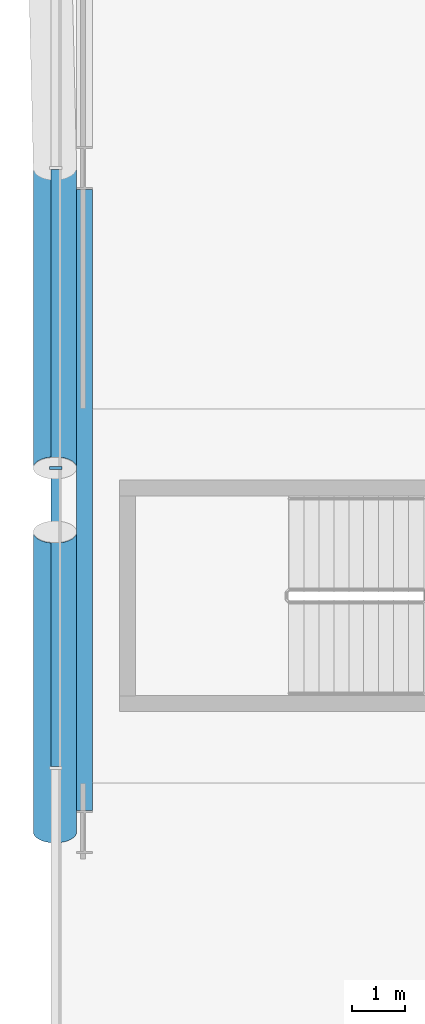
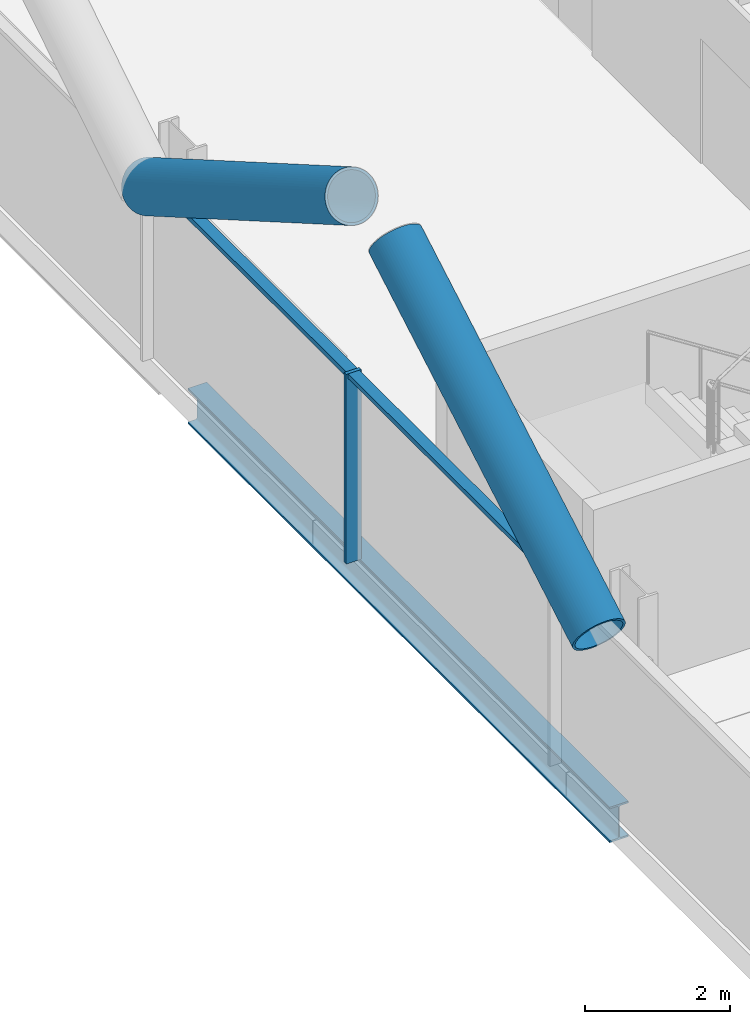
# One storey, part 6 of 25: 5 members, 1 beam, 1 element without a shape of its own.
"""IFC4 building model written with IfcOpenShell, lengths in metres."""

import ifcopenshell
import ifcopenshell.guid

model = None  # the IFC model being written
_history = None  # IfcOwnerHistory: only IFC2X3 demands one
_inside = {}  # id of a spatial element -> (the spatial element, [elements in it])
_under = {}  # id of a project, library or spatial element -> (it, [spatial elements below it])
_declared = {}  # id of a project -> (the project, [libraries it declares])
_typed = {}  # id of a type object -> (the type object, [elements of that type])
_made_of = {}  # id of a material, layer set ... -> (it, [elements and type objects made of it])


def new_model(schema):
    """Start an empty IFC model of exactly this schema.

    Asked for "IFC4X3", IfcOpenShell would pick the latest addendum, in which some entities
    have other attributes; the version numbers below select the first issue.
    IFC2X3 requires an IfcOwnerHistory on every rooted entity: one is made here for all.
    """
    global model, _history
    if schema == "IFC4X3":
        model = ifcopenshell.file(schema_version=(4, 3, 0, 0))
    else:
        model = ifcopenshell.file(schema=schema)
    _inside.clear()
    _under.clear()
    _declared.clear()
    _typed.clear()
    _made_of.clear()
    _history = None
    if model.schema == "IFC2X3":
        org = make("IfcOrganization", Name="unknown")
        user = make(
            "IfcPersonAndOrganization",
            ThePerson=make("IfcPerson", FamilyName="unknown"),
            TheOrganization=org,
        )
        app = make(
            "IfcApplication",
            ApplicationDeveloper=org,
            Version="unknown",
            ApplicationFullName="unknown",
            ApplicationIdentifier="unknown",
        )
        _history = make(
            "IfcOwnerHistory",
            OwningUser=user,
            OwningApplication=app,
            ChangeAction="ADDED",
            CreationDate=0,
        )
    return model


def make(cls, **values):
    """One entity of the class cls with the attributes given. An attribute that is None is left unset."""
    return model.create_entity(
        cls, **{name: value for name, value in values.items() if value is not None}
    )


def rooted(cls, **values):
    """An entity with a GlobalId (a new one), such as an element, a storey or a relation."""
    return make(cls, GlobalId=ifcopenshell.guid.new(), OwnerHistory=_history, **values)


def si_unit(unit_type, name, prefix=None):
    """IfcSIUnit, for example si_unit("LENGTHUNIT", "METRE", prefix="MILLI")."""
    return make("IfcSIUnit", UnitType=unit_type, Prefix=prefix, Name=name)


def assignment(units):
    """IfcUnitAssignment: the units of a project."""
    return None if units is None else make("IfcUnitAssignment", Units=units)


def point(xyz):
    """IfcCartesianPoint."""
    return None if xyz is None else make("IfcCartesianPoint", Coordinates=xyz)


def direction(xyz):
    """IfcDirection."""
    return None if xyz is None else make("IfcDirection", DirectionRatios=xyz)


def frame(location, z_axis=None, x_axis=None):
    """IfcAxis2Placement3D, a coordinate frame: its origin and axes. An axis left out is left unset."""
    return make(
        "IfcAxis2Placement3D",
        Location=point(location),
        Axis=direction(z_axis),
        RefDirection=direction(x_axis),
    )


def frame_2d(location, x_axis=None):
    """IfcAxis2Placement2D, a coordinate frame in the plane: its origin and x axis."""
    return make(
        "IfcAxis2Placement2D", Location=point(location), RefDirection=direction(x_axis)
    )


def origin():
    """The frame at (0, 0, 0) with its axes left unset."""
    return frame((0.0, 0.0, 0.0))


def origin_2d():
    """The frame at (0, 0) in the plane with its x axis left unset."""
    return frame_2d((0.0, 0.0))


def place(relative_to, where):
    """IfcLocalPlacement: puts the frame where relative to a parent placement (None: the world)."""
    return make(
        "IfcLocalPlacement", PlacementRelTo=relative_to, RelativePlacement=where
    )


def context(
    kind, dimensions, precision=None, world=None, true_north=None, identifier=None
):
    """IfcGeometricRepresentationContext, for example the 3D "Model" context."""
    return make(
        "IfcGeometricRepresentationContext",
        ContextIdentifier=identifier,
        ContextType=kind,
        CoordinateSpaceDimension=dimensions,
        Precision=precision,
        WorldCoordinateSystem=world,
        TrueNorth=true_north,
    )


def subcontext(parent, identifier, kind, view, scale=None):
    """IfcGeometricRepresentationSubContext, for example "Body" below "Model"."""
    return make(
        "IfcGeometricRepresentationSubContext",
        ContextIdentifier=identifier,
        ContextType=kind,
        ParentContext=parent,
        TargetScale=scale,
        TargetView=view,
    )


def project(units=None, contexts=None):
    """IfcProject with its units and contexts."""
    return rooted(
        "IfcProject",
        Name="project",
        RepresentationContexts=contexts,
        UnitsInContext=assignment(units),
    )


def spatial(cls, under=None, at=None, **own):
    """A site, building, storey or space (cls), placed at a placement, below another one or the project."""
    s = rooted(cls, ObjectPlacement=at, **own)
    if under is not None:
        _under.setdefault(under.id(), (under, []))[1].append(s)
    return s


def profile(cls, at=None, kind="AREA", **sizes):
    """A parametric profile (cls). Its sizes go by their IFC names, for example OverallWidth=200.0."""
    return make(cls, ProfileType=kind, Position=at, **sizes)


def rectangle(**sizes):
    """IfcRectangleProfileDef."""
    return profile("IfcRectangleProfileDef", **sizes)


def hollow_circle(**sizes):
    """IfcCircleHollowProfileDef."""
    return profile("IfcCircleHollowProfileDef", **sizes)


def i_section(**sizes):
    """IfcIShapeProfileDef."""
    return profile("IfcIShapeProfileDef", **sizes)


def extrude(swept, where, along, depth):
    """IfcExtrudedAreaSolid: the profile swept, set in the frame where, extruded along a direction by depth."""
    return make(
        "IfcExtrudedAreaSolid",
        SweptArea=swept,
        Position=where,
        ExtrudedDirection=direction(along),
        Depth=depth,
    )


def shape(context_of_items, identifier, shape_type, items):
    """IfcShapeRepresentation: the items that make up one representation, for example the "Body"."""
    return make(
        "IfcShapeRepresentation",
        ContextOfItems=context_of_items,
        RepresentationIdentifier=identifier,
        RepresentationType=shape_type,
        Items=items,
    )


def material(Name=None, Category=None):
    """IfcMaterial."""
    return make("IfcMaterial", Name=Name, Category=Category)


def material_profile(
    of_material, cross_section, Name=None, Category=None, Priority=None
):
    """IfcMaterialProfile: a cross section and its material."""
    return make(
        "IfcMaterialProfile",
        Name=Name,
        Material=of_material,
        Profile=cross_section,
        Priority=Priority,
        Category=Category,
    )


def profile_set(profiles, Name=None, composite=None):
    """IfcMaterialProfileSet."""
    return make(
        "IfcMaterialProfileSet",
        Name=Name,
        MaterialProfiles=profiles,
        CompositeProfile=composite,
    )


def made_of(thing, what):
    """Note that an element or type object is made of a material, layer set ...; save() writes the relation."""
    if what is not None:
        _made_of.setdefault(what.id(), (what, []))[1].append(thing)
    return thing


def type_object(cls, material=None, **own):
    """A type object (cls), such as IfcWallType, which elements share."""
    return made_of(rooted(cls, **own), material)


def element(
    cls,
    number,
    at=None,
    inside=None,
    cuts=None,
    type_object=None,
    material=None,
    context=None,
    identifier="Body",
    shape_type=None,
    held_by="IfcProductDefinitionShape",
    body=None,
    shapes=None,
    **own,
):
    """One element of the class cls, such as IfcWall. Its Tag is "e" and its number.

    at: its placement. inside: the storey or other place that contains it. cuts: it is an
    opening in that element (IfcRelVoidsElement). A single representation is given by context,
    identifier, shape_type and body (its items); several are given by shapes. held_by: the class
    of the entity that holds the representations. save() writes the other relations.
    """
    e = rooted(cls, Tag="e%d" % number, ObjectPlacement=at, **own)
    if body is not None:
        shapes = [shape(context, identifier, shape_type, body)]
    if shapes is not None:
        e.Representation = make(held_by, Representations=shapes)
    if inside is not None:
        _inside.setdefault(inside.id(), (inside, []))[1].append(e)
    if cuts is not None:
        rooted(
            "IfcRelVoidsElement", RelatingBuildingElement=cuts, RelatedOpeningElement=e
        )
    if type_object is not None:
        _typed.setdefault(type_object.id(), (type_object, []))[1].append(e)
    return made_of(e, material)


def aggregate(whole, parts):
    """IfcRelAggregates: a whole, such as a stair, and the parts it consists of."""
    return rooted("IfcRelAggregates", RelatingObject=whole, RelatedObjects=parts)


def save(model, path):
    """Write the relations noted so far, then the file.

    IfcRelAggregates (storeys below a building ...), IfcRelContainedInSpatialStructure (elements
    in a storey), IfcRelDefinesByType, IfcRelAssociatesMaterial and IfcRelDeclares: one each for
    every whole, place, type object, material and project.
    """
    for whole, parts in _under.values():
        aggregate(whole, parts)
    for where, things in _inside.values():
        rooted(
            "IfcRelContainedInSpatialStructure",
            RelatedElements=things,
            RelatingStructure=where,
        )
    for kind, things in _typed.values():
        rooted("IfcRelDefinesByType", RelatedObjects=things, RelatingType=kind)
    for what, things in _made_of.values():
        rooted("IfcRelAssociatesMaterial", RelatedObjects=things, RelatingMaterial=what)
    for by, libraries in _declared.values():
        rooted("IfcRelDeclares", RelatingContext=by, RelatedDefinitions=libraries)
    model.write(path)


model = new_model("IFC4")

# Units and contexts
model_context = context("Model", 3, precision=1e-05, world=origin(), true_north=direction((0.0, 1.0)))
body_context = subcontext(model_context, "Body", "Model", "MODEL_VIEW")
ifc_project = project(units=[si_unit("LENGTHUNIT", "METRE"), si_unit("AREAUNIT", "SQUARE_METRE"), si_unit("VOLUMEUNIT", "CUBIC_METRE"), si_unit("PLANEANGLEUNIT", "RADIAN"), si_unit("MASSUNIT", "GRAM", prefix="KILO")], contexts=[model_context])

# Site, building, storey
site_placement = place(None, origin())
site = spatial("IfcSite", under=ifc_project, at=site_placement, CompositionType="ELEMENT")
building_placement = place(site_placement, origin())
building = spatial("IfcBuilding", under=site, at=building_placement, Name="Wharfspan Tower", CompositionType="ELEMENT")
storey_placement = place(building_placement, frame((0.0, 0.0, 121.899902)))
storey = spatial("IfcBuildingStorey", under=building, at=storey_placement, Name="L28", CompositionType="ELEMENT", Elevation=121.899902)

# Beam
ifc_material_1 = material(Name="Steel S355J2", Category="steel")
ifc_material_profile_1 = material_profile(ifc_material_1, i_section(OverallWidth=0.300049, OverallDepth=0.600098, WebThickness=0.015381, FlangeThickness=0.030029, FilletRadius=0.0271, at=origin_2d()))
ifc_profile_set_1 = profile_set([ifc_material_profile_1], Name="Steel S355J2")
beam_type = type_object("IfcBeamType", Name="Edge beam HEB 600", PredefinedType="SPANDREL", material=ifc_profile_set_1)
beam_placement = place(storey_placement, frame((7.540039, 30.330322, -0.699951), z_axis=(0.0, -1.0, 0.0), x_axis=(1.0, 0.0, 0.0)))
element("IfcBeam", 1, at=beam_placement, inside=storey, type_object=beam_type, Name="Edge beam W L28 PW.1 to PW.2", PredefinedType="SPANDREL", context=body_context, shape_type="SweptSolid", body=[
    extrude(i_section(OverallWidth=0.300049, OverallDepth=0.600098, WebThickness=0.015381, FlangeThickness=0.030029, FilletRadius=0.0271, at=origin_2d()), origin(), (0.0, 0.0, 1.0), 11.660645),
])

# Curtain wall, member
ifc_material_2 = material(Name="Aluminium 6063-T6", Category="aluminium")
curtain_wall_type = type_object("IfcCurtainWallType", Name="CURTAIN WALL PROW AND END", PredefinedType="NOTDEFINED", material=ifc_material_2)
curtain_wall_placement = place(storey_placement, origin())
curtain_wall = element("IfcCurtainWall", 2, at=curtain_wall_placement, inside=storey, type_object=curtain_wall_type, Name="Curtain wall W", PredefinedType="NOTDEFINED")
ifc_material_profile_2 = material_profile(ifc_material_2, rectangle(XDim=0.23999, YDim=0.060059, at=origin_2d()))
ifc_profile_set_2 = profile_set([ifc_material_profile_2], Name="Aluminium 6063-T6")
member_type_1 = type_object("IfcMemberType", Name="MULLION PROW AND END 60x240", PredefinedType="MULLION", material=ifc_profile_set_2)
member_1_placement = place(storey_placement, frame((7.0, 25.100098, 0.0), z_axis=(0.0, 0.0, 1.0), x_axis=(1.0, 0.0, 0.0)))
member_1 = element("IfcMember", 3, at=member_1_placement, type_object=member_type_1, Name="Curtain wall W mullion 4", PredefinedType="MULLION", context=body_context, shape_type="SweptSolid", body=[
    extrude(rectangle(XDim=0.23999, YDim=0.060059, at=origin_2d()), origin(), (0.0, 0.0, 1.0), 3.200195),
])

# Members
ifc_material_3 = material(Name="Steel S460NH", Category="steel")
ifc_material_profile_3 = material_profile(ifc_material_3, hollow_circle(Radius=0.406494, WallThickness=0.040039, at=origin_2d()))
ifc_profile_set_3 = profile_set([ifc_material_profile_3], Name="Steel S460NH")
member_type_2 = type_object("IfcMemberType", Name="Mega brace CHS 813x40", PredefinedType="BRACE", material=ifc_profile_set_3)
for number, where, z_axis, x_axis, name in (
    (4, (6.985107, 30.733398, 2.900146), (0.0, -0.865959, 0.500115), (1.0, 0.0, 0.0), "Mega brace W3 L29 part 1"),
    (5, (6.985107, 18.266602, 2.900146), (0.0, 0.865959, 0.500115), (-1.0, 0.0, 0.0), "Mega brace W3 L29 part 3"),
):
    element("IfcMember", number, at=place(storey_placement, frame(where, z_axis=z_axis, x_axis=x_axis)), inside=storey, type_object=member_type_2, Name=name, PredefinedType="BRACE", context=body_context, shape_type="SweptSolid", body=[
        extrude(hollow_circle(Radius=0.406494, WallThickness=0.040039, at=origin_2d()), origin(), (0.0, 0.0, 1.0), 6.498535),
    ])

# Member
ifc_material_profile_4 = material_profile(ifc_material_2, rectangle(XDim=0.179932, YDim=0.080078, at=origin_2d()))
ifc_profile_set_4 = profile_set([ifc_material_profile_4], Name="Aluminium 6063-T6")
member_type_3 = type_object("IfcMemberType", Name="TRANSOM PROW AND END 80x180", PredefinedType="USERDEFINED", material=ifc_profile_set_4)
member_2_placement = place(storey_placement, frame((7.0, 30.703369, 3.160156), z_axis=(0.0, -1.0, 0.0), x_axis=(1.0, 0.0, 0.0)))
member_2 = element("IfcMember", 6, at=member_2_placement, type_object=member_type_3, Name="Curtain wall W transom 3", ObjectType="TRANSOM", PredefinedType="USERDEFINED", context=body_context, shape_type="SweptSolid", body=[
    extrude(rectangle(XDim=0.179932, YDim=0.080078, at=origin_2d()), origin(), (0.0, 0.0, 1.0), 5.573486),
])

member_3_placement = place(storey_placement, frame((7.0, 25.070068, 3.160156), z_axis=(0.0, -1.0, 0.0), x_axis=(1.0, 0.0, 0.0)))
member_3 = element("IfcMember", 7, at=member_3_placement, type_object=member_type_3, Name="Curtain wall W transom 4", ObjectType="TRANSOM", PredefinedType="USERDEFINED", context=body_context, shape_type="SweptSolid", body=[
    extrude(rectangle(XDim=0.179932, YDim=0.080078, at=origin_2d()), origin(), (0.0, 0.0, 1.0), 5.573486),
])

aggregate(curtain_wall, [member_1, member_2, member_3])

save(model, "model.ifc")
